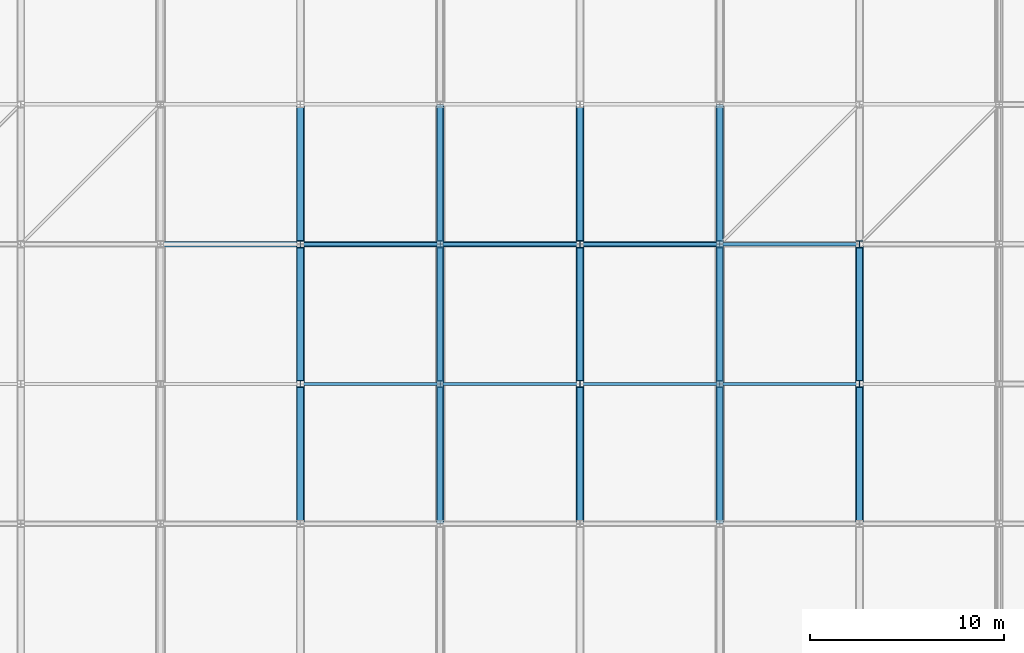
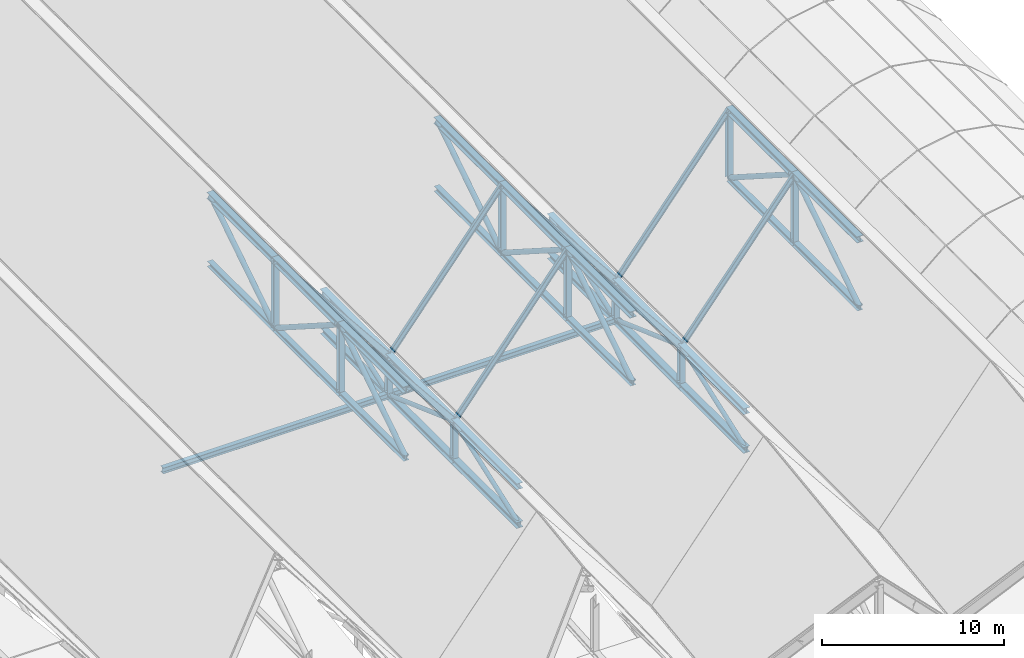
# One storey, part 18 of 60: 60 members, 2 beams.
"""IFC4 building model written with IfcOpenShell, lengths in metres."""

from ifc_helpers import new_model, si_unit, direction, frame, origin, origin_2d, place, context, subcontext, project, spatial, hollow_circle, i_section, extrude, material, material_profile, profile_set, type_object, element, save


model = new_model("IFC4")

# Units and contexts
model_context = context("Model", 3, precision=1e-05, world=origin(), true_north=direction((0.0, 1.0)))
body_context = subcontext(model_context, "Body", "Model", "MODEL_VIEW")
ifc_project = project(units=[si_unit("LENGTHUNIT", "METRE"), si_unit("AREAUNIT", "SQUARE_METRE"), si_unit("VOLUMEUNIT", "CUBIC_METRE"), si_unit("PLANEANGLEUNIT", "RADIAN"), si_unit("MASSUNIT", "GRAM", prefix="KILO")], contexts=[model_context])

# Site, building, storey
site_placement = place(None, origin())
site = spatial("IfcSite", under=ifc_project, at=site_placement, CompositionType="ELEMENT")
building_placement = place(site_placement, origin())
building = spatial("IfcBuilding", under=site, at=building_placement, Name="Vesperath Aquatics Centre", CompositionType="ELEMENT")
storey_placement = place(building_placement, frame((0.0, 0.0, 27.60009765625)))
storey = spatial("IfcBuildingStorey", under=building, at=storey_placement, Name="RF", CompositionType="ELEMENT", Elevation=27.60009765625)

# Beams
ifc_material_1 = material(Name="Steel Q355C", Category="steel")
ifc_material_profile_1 = material_profile(ifc_material_1, i_section(OverallWidth=0.300048828125, OverallDepth=0.389892578125, WebThickness=0.010009765625, FlangeThickness=0.01611328125, FilletRadius=0.02197265625, at=origin_2d()), Name="HM 390x300x10x16")
ifc_profile_set_1 = profile_set([ifc_material_profile_1], Name="Steel Q355C")
beam_type = type_object("IfcBeamType", Name="BM-RB02", PredefinedType="BEAM", material=ifc_profile_set_1)
for number, where, z_axis, x_axis, name in (
    (1, (57.60009765625, 43.199951171875, -12.400146484375), (1.0, 0.0, 0.0), (0.0, 1.0, 0.0), "Natatorium Roof Deck Support Beam B11 G5-43.2"),
    (2, (72.0, 43.199951171875, -12.400146484375), (1.0, 0.0, 0.0), (0.0, 1.0, 0.0), "Natatorium Roof Deck Support Beam B11 G6-43.2"),
):
    element("IfcBeam", number, at=place(storey_placement, frame(where, z_axis=z_axis, x_axis=x_axis)), inside=storey, type_object=beam_type, Name=name, PredefinedType="BEAM", context=body_context, shape_type="SweptSolid", body=[
        extrude(i_section(OverallWidth=0.300048828125, OverallDepth=0.389892578125, WebThickness=0.010009765625, FlangeThickness=0.01611328125, FilletRadius=0.02197265625, at=origin_2d()), origin(), (0.0, 0.0, 1.0), 14.39990234375),
    ])

# Members
ifc_material_2 = material(Name="Steel Q355D", Category="steel")
ifc_material_profile_2 = material_profile(ifc_material_2, i_section(OverallWidth=0.39990234375, OverallDepth=0.39990234375, WebThickness=0.012939453125, FlangeThickness=0.02099609375, FilletRadius=0.02197265625, at=origin_2d()), Name="HW 400x400x13x21")
ifc_profile_set_2 = profile_set([ifc_material_profile_2], Name="Steel Q355D")
member_type_1 = type_object("IfcMemberType", Name="MB-BC01", PredefinedType="CHORD", material=ifc_profile_set_2)
for number, where, z_axis, x_axis, name in (
    (3, (72.0, 28.800048828125, -12.400146484375), (0.0, 1.0, 0.0), (-1.0, 0.0, 0.0), "Natatorium ROOF TRUSS Bottom Chord BC01 G11-5"),
    (4, (72.0, 36.0, -12.400146484375), (0.0, 1.0, 0.0), (-1.0, 0.0, 0.0), "Natatorium ROOF TRUSS Bottom Chord BC01 G11-6"),
    (5, (72.0, 43.199951171875, -12.400146484375), (0.0, 1.0, 0.0), (-1.0, 0.0, 0.0), "Natatorium ROOF TRUSS Bottom Chord BC01 G11-7"),
    (6, (86.39990234375, 28.800048828125, -12.400146484375), (0.0, 1.0, 0.0), (-1.0, 0.0, 0.0), "Natatorium ROOF TRUSS Bottom Chord BC01 G13-5"),
    (7, (86.39990234375, 36.0, -12.400146484375), (0.0, 1.0, 0.0), (-1.0, 0.0, 0.0), "Natatorium ROOF TRUSS Bottom Chord BC01 G13-6"),
    (8, (86.39990234375, 43.199951171875, -12.400146484375), (0.0, 1.0, 0.0), (-1.0, 0.0, 0.0), "Natatorium ROOF TRUSS Bottom Chord BC01 G13-7"),
):
    element("IfcMember", number, at=place(storey_placement, frame(where, z_axis=z_axis, x_axis=x_axis)), inside=storey, type_object=member_type_1, Name=name, PredefinedType="CHORD", context=body_context, shape_type="SweptSolid", body=[
        extrude(i_section(OverallWidth=0.39990234375, OverallDepth=0.39990234375, WebThickness=0.012939453125, FlangeThickness=0.02099609375, FilletRadius=0.02197265625, at=origin_2d()), origin(), (0.0, 0.0, 1.0), 7.199951171875),
    ])
ifc_material_profile_3 = material_profile(ifc_material_2, i_section(OverallWidth=0.35009765625, OverallDepth=0.35009765625, WebThickness=0.011962890625, FlangeThickness=0.01904296875, FilletRadius=0.02001953125, at=origin_2d()), Name="HW 350x350x12x19")
ifc_profile_set_3 = profile_set([ifc_material_profile_3], Name="Steel Q355D")
member_type_2 = type_object("IfcMemberType", Name="MB-BC02", PredefinedType="CHORD", material=ifc_profile_set_3)
for number, where, z_axis, x_axis, name in (
    (9, (64.800048828125, 28.800048828125, -5.400146484375), (0.0, 1.0, 0.0), (-1.0, 0.0, 0.0), "Natatorium ROOF TRUSS Bottom Chord BC02 G10-5"),
    (10, (64.800048828125, 36.0, -5.400146484375), (0.0, 1.0, 0.0), (-1.0, 0.0, 0.0), "Natatorium ROOF TRUSS Bottom Chord BC02 G10-6"),
    (11, (64.800048828125, 43.199951171875, -5.400146484375), (0.0, 1.0, 0.0), (-1.0, 0.0, 0.0), "Natatorium ROOF TRUSS Bottom Chord BC02 G10-7"),
    (12, (79.199951171875, 28.800048828125, -5.400146484375), (0.0, 1.0, 0.0), (-1.0, 0.0, 0.0), "Natatorium ROOF TRUSS Bottom Chord BC02 G12-5"),
    (13, (79.199951171875, 36.0, -5.400146484375), (0.0, 1.0, 0.0), (-1.0, 0.0, 0.0), "Natatorium ROOF TRUSS Bottom Chord BC02 G12-6"),
    (14, (79.199951171875, 43.199951171875, -5.400146484375), (0.0, 1.0, 0.0), (-1.0, 0.0, 0.0), "Natatorium ROOF TRUSS Bottom Chord BC02 G12-7"),
    (15, (93.60009765625, 28.800048828125, -5.400146484375), (0.0, 1.0, 0.0), (-1.0, 0.0, 0.0), "Natatorium ROOF TRUSS Bottom Chord BC02 G14-5"),
    (16, (93.60009765625, 36.0, -5.400146484375), (0.0, 1.0, 0.0), (-1.0, 0.0, 0.0), "Natatorium ROOF TRUSS Bottom Chord BC02 G14-6"),
):
    element("IfcMember", number, at=place(storey_placement, frame(where, z_axis=z_axis, x_axis=x_axis)), inside=storey, type_object=member_type_2, Name=name, PredefinedType="CHORD", context=body_context, shape_type="SweptSolid", body=[
        extrude(i_section(OverallWidth=0.35009765625, OverallDepth=0.35009765625, WebThickness=0.011962890625, FlangeThickness=0.01904296875, FilletRadius=0.02001953125, at=origin_2d()), origin(), (0.0, 0.0, 1.0), 7.199951171875),
    ])
ifc_material_profile_4 = material_profile(ifc_material_1, i_section(OverallWidth=0.175048828125, OverallDepth=0.35009765625, WebThickness=0.007080078125, FlangeThickness=0.010986328125, FilletRadius=0.012939453125, at=origin_2d()), Name="HN 350x175x7x11")
ifc_profile_set_4 = profile_set([ifc_material_profile_4], Name="Steel Q355C")
member_type_3 = type_object("IfcMemberType", Name="MB-PR01", PredefinedType="PURLIN", material=ifc_profile_set_4)
for number, where, z_axis, x_axis, name in (
    (17, (64.800048828125, 36.0, -0.800048828125), (0.624692464322, 0.0, -0.780870876022), (0.0, 1.0, 0.0), "Natatorium Roof Purlin PR01 B10-4"),
    (18, (64.800048828125, 43.199951171875, -0.800048828125), (0.624692464322, 0.0, -0.780870876022), (0.0, 1.0, 0.0), "Natatorium Roof Purlin PR01 B10-5"),
    (19, (72.0, 36.0, -9.800048828125), (0.624692464322, 0.0, 0.780870876022), (0.0, 1.0, 0.0), "Natatorium Roof Purlin PR01 B11-4"),
    (20, (72.0, 43.199951171875, -9.800048828125), (0.624692464322, 0.0, 0.780870876022), (0.0, 1.0, 0.0), "Natatorium Roof Purlin PR01 B11-5"),
    (21, (79.199951171875, 36.0, -0.800048828125), (0.624692464322, 0.0, -0.780870876022), (0.0, 1.0, 0.0), "Natatorium Roof Purlin PR01 B12-4"),
    (22, (79.199951171875, 43.199951171875, -0.800048828125), (0.624692464322, 0.0, -0.780870876022), (0.0, 1.0, 0.0), "Natatorium Roof Purlin PR01 B12-5"),
    (23, (86.39990234375, 36.0, -9.800048828125), (0.624705380279, 0.0, 0.780860543151), (0.0, 1.0, 0.0), "Natatorium Roof Purlin PR01 B13-4"),
    (24, (86.39990234375, 43.199951171875, -9.800048828125), (0.624705380279, 0.0, 0.780860543151), (0.0, 1.0, 0.0), "Natatorium Roof Purlin PR01 B13-5"),
):
    element("IfcMember", number, at=place(storey_placement, frame(where, z_axis=z_axis, x_axis=x_axis)), inside=storey, type_object=member_type_3, Name=name, PredefinedType="PURLIN", context=body_context, shape_type="SweptSolid", body=[
        extrude(i_section(OverallWidth=0.175048828125, OverallDepth=0.35009765625, WebThickness=0.007080078125, FlangeThickness=0.010986328125, FilletRadius=0.012939453125, at=origin_2d()), origin(), (0.0, 0.0, 1.0), 11.525634765625),
    ])
ifc_material_profile_5 = material_profile(ifc_material_2, i_section(OverallWidth=0.406982421875, OverallDepth=0.427978515625, WebThickness=0.02001953125, FlangeThickness=0.034912109375, FilletRadius=0.02197265625, at=origin_2d()), Name="HW 428x407x20x35")
ifc_profile_set_5 = profile_set([ifc_material_profile_5], Name="Steel Q355D")
member_type_4 = type_object("IfcMemberType", Name="MB-TC01", PredefinedType="CHORD", material=ifc_profile_set_5)
for number, where, z_axis, x_axis, name in (
    (25, (64.800048828125, 28.800048828125, -0.800048828125), (0.0, 1.0, 0.0), (-1.0, 0.0, 0.0), "Natatorium ROOF TRUSS Top Chord TC01 G10-5"),
    (26, (64.800048828125, 36.0, -0.800048828125), (0.0, 1.0, 0.0), (-1.0, 0.0, 0.0), "Natatorium ROOF TRUSS Top Chord TC01 G10-6"),
    (27, (64.800048828125, 43.199951171875, -0.800048828125), (0.0, 1.0, 0.0), (-1.0, 0.0, 0.0), "Natatorium ROOF TRUSS Top Chord TC01 G10-7"),
    (28, (79.199951171875, 28.800048828125, -0.800048828125), (0.0, 1.0, 0.0), (-1.0, 0.0, 0.0), "Natatorium ROOF TRUSS Top Chord TC01 G12-5"),
    (29, (79.199951171875, 36.0, -0.800048828125), (0.0, 1.0, 0.0), (-1.0, 0.0, 0.0), "Natatorium ROOF TRUSS Top Chord TC01 G12-6"),
    (30, (79.199951171875, 43.199951171875, -0.800048828125), (0.0, 1.0, 0.0), (-1.0, 0.0, 0.0), "Natatorium ROOF TRUSS Top Chord TC01 G12-7"),
    (31, (93.60009765625, 28.800048828125, -0.800048828125), (0.0, 1.0, 0.0), (-1.0, 0.0, 0.0), "Natatorium ROOF TRUSS Top Chord TC01 G14-5"),
    (32, (93.60009765625, 36.0, -0.800048828125), (0.0, 1.0, 0.0), (-1.0, 0.0, 0.0), "Natatorium ROOF TRUSS Top Chord TC01 G14-6"),
):
    element("IfcMember", number, at=place(storey_placement, frame(where, z_axis=z_axis, x_axis=x_axis)), inside=storey, type_object=member_type_4, Name=name, PredefinedType="CHORD", context=body_context, shape_type="SweptSolid", body=[
        extrude(i_section(OverallWidth=0.406982421875, OverallDepth=0.427978515625, WebThickness=0.02001953125, FlangeThickness=0.034912109375, FilletRadius=0.02197265625, at=origin_2d()), origin(), (0.0, 0.0, 1.0), 7.199951171875),
    ])
ifc_material_profile_6 = material_profile(ifc_material_2, i_section(OverallWidth=0.39990234375, OverallDepth=0.39990234375, WebThickness=0.012939453125, FlangeThickness=0.02099609375, FilletRadius=0.02197265625, at=origin_2d()), Name="HW 400x400x13x21")
ifc_profile_set_6 = profile_set([ifc_material_profile_6], Name="Steel Q355D")
member_type_5 = type_object("IfcMemberType", Name="MB-TC02", PredefinedType="CHORD", material=ifc_profile_set_6)
for number, where, z_axis, x_axis, name in (
    (33, (72.0, 28.800048828125, -9.800048828125), (0.0, 1.0, 0.0), (-1.0, 0.0, 0.0), "Natatorium ROOF TRUSS Top Chord TC02 G11-5"),
    (34, (72.0, 36.0, -9.800048828125), (0.0, 1.0, 0.0), (-1.0, 0.0, 0.0), "Natatorium ROOF TRUSS Top Chord TC02 G11-6"),
    (35, (72.0, 43.199951171875, -9.800048828125), (0.0, 1.0, 0.0), (-1.0, 0.0, 0.0), "Natatorium ROOF TRUSS Top Chord TC02 G11-7"),
    (36, (86.39990234375, 28.800048828125, -9.800048828125), (0.0, 1.0, 0.0), (-1.0, 0.0, 0.0), "Natatorium ROOF TRUSS Top Chord TC02 G13-5"),
    (37, (86.39990234375, 36.0, -9.800048828125), (0.0, 1.0, 0.0), (-1.0, 0.0, 0.0), "Natatorium ROOF TRUSS Top Chord TC02 G13-6"),
    (38, (86.39990234375, 43.199951171875, -9.800048828125), (0.0, 1.0, 0.0), (-1.0, 0.0, 0.0), "Natatorium ROOF TRUSS Top Chord TC02 G13-7"),
):
    element("IfcMember", number, at=place(storey_placement, frame(where, z_axis=z_axis, x_axis=x_axis)), inside=storey, type_object=member_type_5, Name=name, PredefinedType="CHORD", context=body_context, shape_type="SweptSolid", body=[
        extrude(i_section(OverallWidth=0.39990234375, OverallDepth=0.39990234375, WebThickness=0.012939453125, FlangeThickness=0.02099609375, FilletRadius=0.02197265625, at=origin_2d()), origin(), (0.0, 0.0, 1.0), 7.199951171875),
    ])
ifc_material_profile_7 = material_profile(ifc_material_2, hollow_circle(Radius=0.161865234375, WallThickness=0.013916015625, at=origin_2d()), Name="CHS 323.9x14")
ifc_profile_set_7 = profile_set([ifc_material_profile_7], Name="Steel Q355D")
member_type_6 = type_object("IfcMemberType", Name="MB-TD01", PredefinedType="BRACE", material=ifc_profile_set_7)
for number, where, z_axis, x_axis, name in (
    (39, (64.800048828125, 28.867431640625, -5.35693359375), (0.0, 0.84270690245, 0.538372618698), (-1.0, 0.0, 0.0), "Natatorium ROOF TRUSS Diagonal TD01 G10-5"),
    (40, (64.800048828125, 36.0673828125, -0.84326171875), (0.0, 0.84270690245, -0.538372618698), (-1.0, 0.0, 0.0), "Natatorium ROOF TRUSS Diagonal TD01 G10-6"),
    (41, (64.800048828125, 43.267333984375, -5.35693359375), (0.0, 0.84270690245, 0.538372618698), (-1.0, 0.0, 0.0), "Natatorium ROOF TRUSS Diagonal TD01 G10-7"),
    (42, (79.199951171875, 28.867431640625, -5.35693359375), (0.0, 0.84270690245, 0.538372618698), (-1.0, 0.0, 0.0), "Natatorium ROOF TRUSS Diagonal TD01 G12-5"),
    (43, (79.199951171875, 36.0673828125, -0.84326171875), (0.0, 0.84270690245, -0.538372618698), (-1.0, 0.0, 0.0), "Natatorium ROOF TRUSS Diagonal TD01 G12-6"),
    (44, (79.199951171875, 43.267333984375, -5.35693359375), (0.0, 0.84270690245, 0.538372618698), (-1.0, 0.0, 0.0), "Natatorium ROOF TRUSS Diagonal TD01 G12-7"),
    (45, (93.60009765625, 28.867431640625, -5.35693359375), (0.0, 0.84270690245, 0.538372618698), (-1.0, 0.0, 0.0), "Natatorium ROOF TRUSS Diagonal TD01 G14-5"),
    (46, (93.60009765625, 36.0673828125, -0.84326171875), (0.0, 0.84270690245, -0.538372618698), (-1.0, 0.0, 0.0), "Natatorium ROOF TRUSS Diagonal TD01 G14-6"),
):
    element("IfcMember", number, at=place(storey_placement, frame(where, z_axis=z_axis, x_axis=x_axis)), inside=storey, type_object=member_type_6, Name=name, PredefinedType="BRACE", context=body_context, shape_type="SweptSolid", body=[
        extrude(hollow_circle(Radius=0.161865234375, WallThickness=0.013916015625, at=origin_2d()), origin(), (0.0, 0.0, 1.0), 8.384033203125),
    ])
ifc_material_profile_8 = material_profile(ifc_material_2, hollow_circle(Radius=0.136474609375, WallThickness=0.011962890625, at=origin_2d()), Name="CHS 273.0x12")
ifc_profile_set_8 = profile_set([ifc_material_profile_8], Name="Steel Q355D")
member_type_7 = type_object("IfcMemberType", Name="MB-TD02", PredefinedType="BRACE", material=ifc_profile_set_8)
for number, where, z_axis, x_axis, name in (
    (47, (72.0, 28.875244140625, -12.373046875), (0.0, 0.940544360889, 0.339670877761), (-1.0, 0.0, 0.0), "Natatorium ROOF TRUSS Diagonal TD02 G11-5"),
    (48, (72.0, 36.0751953125, -9.8271484375), (0.0, 0.940544360889, -0.339670877761), (-1.0, 0.0, 0.0), "Natatorium ROOF TRUSS Diagonal TD02 G11-6"),
    (49, (72.0, 43.275146484375, -12.373046875), (0.0, 0.940544360889, 0.339670877761), (-1.0, 0.0, 0.0), "Natatorium ROOF TRUSS Diagonal TD02 G11-7"),
    (50, (86.39990234375, 28.875244140625, -12.373046875), (0.0, 0.940544360889, 0.339670877761), (-1.0, 0.0, 0.0), "Natatorium ROOF TRUSS Diagonal TD02 G13-5"),
    (51, (86.39990234375, 36.0751953125, -9.8271484375), (0.0, 0.940544360889, -0.339670877761), (-1.0, 0.0, 0.0), "Natatorium ROOF TRUSS Diagonal TD02 G13-6"),
    (52, (86.39990234375, 43.275146484375, -12.373046875), (0.0, 0.940544360889, 0.339670877761), (-1.0, 0.0, 0.0), "Natatorium ROOF TRUSS Diagonal TD02 G13-7"),
):
    element("IfcMember", number, at=place(storey_placement, frame(where, z_axis=z_axis, x_axis=x_axis)), inside=storey, type_object=member_type_7, Name=name, PredefinedType="BRACE", context=body_context, shape_type="SweptSolid", body=[
        extrude(hollow_circle(Radius=0.136474609375, WallThickness=0.011962890625, at=origin_2d()), origin(), (0.0, 0.0, 1.0), 7.4951171875),
    ])
ifc_material_profile_9 = material_profile(ifc_material_2, i_section(OverallWidth=0.35009765625, OverallDepth=0.35009765625, WebThickness=0.011962890625, FlangeThickness=0.01904296875, FilletRadius=0.02001953125, at=origin_2d()), Name="HW 350x350x12x19")
ifc_profile_set_9 = profile_set([ifc_material_profile_9], Name="Steel Q355D")
member_type_8 = type_object("IfcMemberType", Name="MB-TP01", PredefinedType="POST", material=ifc_profile_set_9)
for number, where, z_axis, x_axis, name in (
    (53, (64.800048828125, 36.0, -5.400146484375), (0.0, 0.0, 1.0), (1.0, 0.0, 0.0), "Natatorium ROOF TRUSS Post TP01 G10-6"),
    (54, (64.800048828125, 43.199951171875, -5.400146484375), (0.0, 0.0, 1.0), (1.0, 0.0, 0.0), "Natatorium ROOF TRUSS Post TP01 G10-7"),
):
    element("IfcMember", number, at=place(storey_placement, frame(where, z_axis=z_axis, x_axis=x_axis)), inside=storey, type_object=member_type_8, Name=name, PredefinedType="POST", context=body_context, shape_type="SweptSolid", body=[
        extrude(i_section(OverallWidth=0.35009765625, OverallDepth=0.35009765625, WebThickness=0.011962890625, FlangeThickness=0.01904296875, FilletRadius=0.02001953125, at=origin_2d()), origin(), (0.0, 0.0, 1.0), 4.60009765625),
    ])
for number, where, z_axis, x_axis, name in (
    (55, (72.0, 36.0, -12.400146484375), (0.0, 0.0, 1.0), (1.0, 0.0, 0.0), "Natatorium ROOF TRUSS Post TP01 G11-6"),
    (56, (72.0, 43.199951171875, -12.400146484375), (0.0, 0.0, 1.0), (1.0, 0.0, 0.0), "Natatorium ROOF TRUSS Post TP01 G11-7"),
):
    element("IfcMember", number, at=place(storey_placement, frame(where, z_axis=z_axis, x_axis=x_axis)), inside=storey, type_object=member_type_8, Name=name, PredefinedType="POST", context=body_context, shape_type="SweptSolid", body=[
        extrude(i_section(OverallWidth=0.35009765625, OverallDepth=0.35009765625, WebThickness=0.011962890625, FlangeThickness=0.01904296875, FilletRadius=0.02001953125, at=origin_2d()), origin(), (0.0, 0.0, 1.0), 2.60009765625),
    ])
for number, where, z_axis, x_axis, name in (
    (57, (79.199951171875, 36.0, -5.400146484375), (0.0, 0.0, 1.0), (1.0, 0.0, 0.0), "Natatorium ROOF TRUSS Post TP01 G12-6"),
    (58, (79.199951171875, 43.199951171875, -5.400146484375), (0.0, 0.0, 1.0), (1.0, 0.0, 0.0), "Natatorium ROOF TRUSS Post TP01 G12-7"),
):
    element("IfcMember", number, at=place(storey_placement, frame(where, z_axis=z_axis, x_axis=x_axis)), inside=storey, type_object=member_type_8, Name=name, PredefinedType="POST", context=body_context, shape_type="SweptSolid", body=[
        extrude(i_section(OverallWidth=0.35009765625, OverallDepth=0.35009765625, WebThickness=0.011962890625, FlangeThickness=0.01904296875, FilletRadius=0.02001953125, at=origin_2d()), origin(), (0.0, 0.0, 1.0), 4.60009765625),
    ])
for number, where, z_axis, x_axis, name in (
    (59, (86.39990234375, 36.0, -12.400146484375), (0.0, 0.0, 1.0), (1.0, 0.0, 0.0), "Natatorium ROOF TRUSS Post TP01 G13-6"),
    (60, (86.39990234375, 43.199951171875, -12.400146484375), (0.0, 0.0, 1.0), (1.0, 0.0, 0.0), "Natatorium ROOF TRUSS Post TP01 G13-7"),
):
    element("IfcMember", number, at=place(storey_placement, frame(where, z_axis=z_axis, x_axis=x_axis)), inside=storey, type_object=member_type_8, Name=name, PredefinedType="POST", context=body_context, shape_type="SweptSolid", body=[
        extrude(i_section(OverallWidth=0.35009765625, OverallDepth=0.35009765625, WebThickness=0.011962890625, FlangeThickness=0.01904296875, FilletRadius=0.02001953125, at=origin_2d()), origin(), (0.0, 0.0, 1.0), 2.60009765625),
    ])
for number, where, z_axis, x_axis, name in (
    (61, (93.60009765625, 36.0, -5.400146484375), (0.0, 0.0, 1.0), (1.0, 0.0, 0.0), "Natatorium ROOF TRUSS Post TP01 G14-6"),
    (62, (93.60009765625, 43.199951171875, -5.400146484375), (0.0, 0.0, 1.0), (1.0, 0.0, 0.0), "Natatorium ROOF TRUSS Post TP01 G14-7"),
):
    element("IfcMember", number, at=place(storey_placement, frame(where, z_axis=z_axis, x_axis=x_axis)), inside=storey, type_object=member_type_8, Name=name, PredefinedType="POST", context=body_context, shape_type="SweptSolid", body=[
        extrude(i_section(OverallWidth=0.35009765625, OverallDepth=0.35009765625, WebThickness=0.011962890625, FlangeThickness=0.01904296875, FilletRadius=0.02001953125, at=origin_2d()), origin(), (0.0, 0.0, 1.0), 4.60009765625),
    ])

save(model, "model.ifc")
